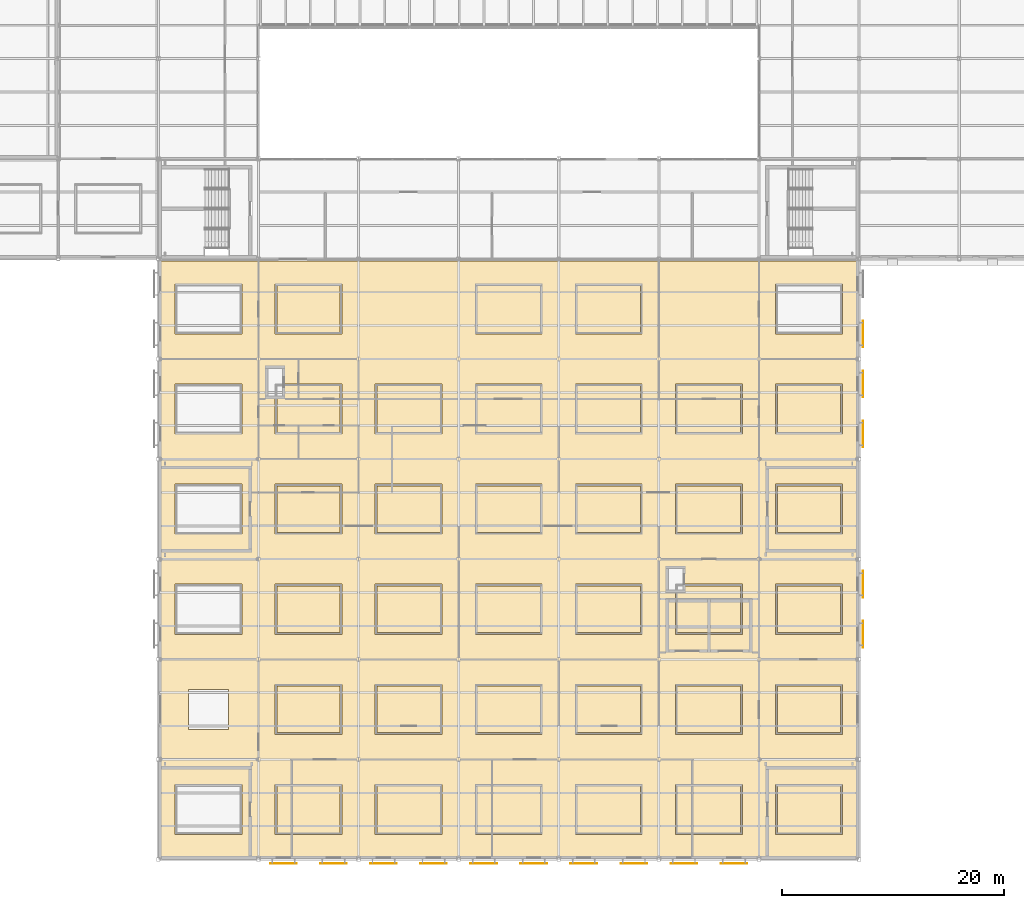
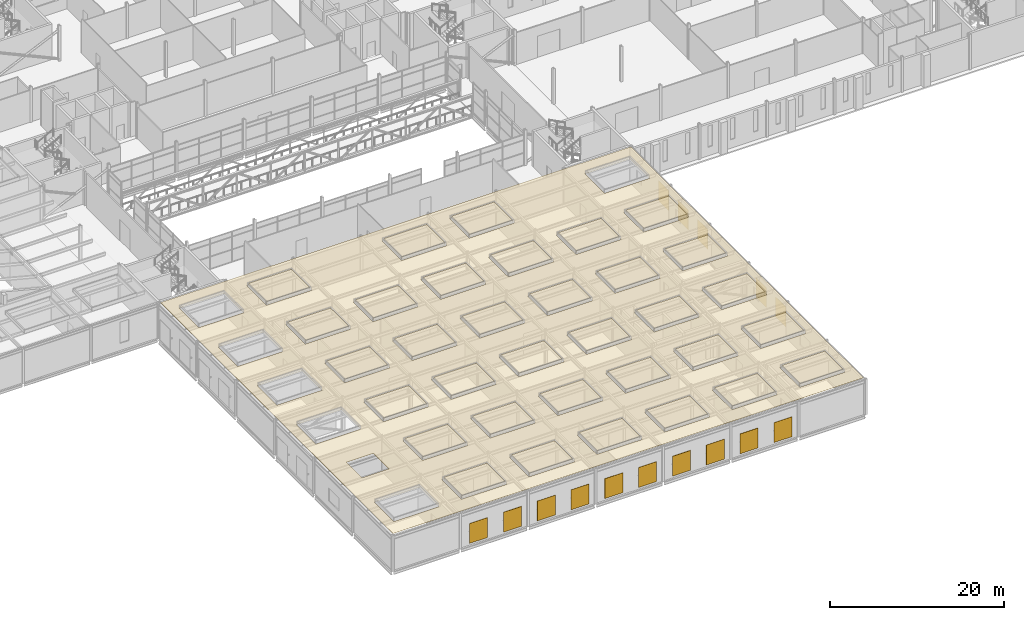
# One storey, part 110 of 115: 34 coverings, 15 shading devices.
"""IFC4 building model written with IfcOpenShell, lengths in metres."""

from ifc_helpers import new_model, si_unit, direction, frame, origin, origin_2d, place, context, subcontext, project, spatial, polyline, rectangle, outline, extrude, material, layer, layer_set, type_object, element, save


model = new_model("IFC4")

# Units and contexts
model_context = context("Model", 3, precision=1e-05, world=origin(), true_north=direction((0.0, 1.0)))
body_context = subcontext(model_context, "Body", "Model", "MODEL_VIEW")
ifc_project = project(units=[si_unit("LENGTHUNIT", "METRE"), si_unit("AREAUNIT", "SQUARE_METRE"), si_unit("VOLUMEUNIT", "CUBIC_METRE"), si_unit("PLANEANGLEUNIT", "RADIAN"), si_unit("MASSUNIT", "GRAM", prefix="KILO")], contexts=[model_context])

# Site, building, storey
site_placement = place(None, origin())
site = spatial("IfcSite", under=ifc_project, at=site_placement, CompositionType="ELEMENT")
building_placement = place(site_placement, origin())
building = spatial("IfcBuilding", under=site, at=building_placement, Name="Shorebreak Coast Museum", CompositionType="ELEMENT")
storey_placement = place(building_placement, frame((0.0, 0.0, 11.0)))
storey = spatial("IfcBuildingStorey", under=building, at=storey_placement, Name="L02", CompositionType="ELEMENT", Elevation=11.0)

# Shading devices
ifc_material_1 = material(Name="Aluminium", Category="aluminium")
ifc_layer_1 = layer(ifc_material_1, 0.0400390625)
ifc_layer_set_1 = layer_set([ifc_layer_1], Name="Aluminium")
shading_device_type = type_object("IfcShadingDeviceType", Name="Perforated aluminium screen 2400 x 2800", PredefinedType="USERDEFINED", material=ifc_layer_set_1)
for number, where, z_axis, x_axis, name in (
    (1, (117.3701171875, 20.25, 0.5498046875), (0.0, 0.0, 1.0), (1.0, 0.0, 0.0), "Perforated screen L02 E23"),
    (2, (117.3701171875, 24.75, 0.5498046875), (0.0, 0.0, 1.0), (1.0, 0.0, 0.0), "Perforated screen L02 E24"),
    (3, (117.3701171875, 38.25, 0.5498046875), (0.0, 0.0, 1.0), (1.0, 0.0, 0.0), "Perforated screen L02 E25"),
    (4, (117.3701171875, 42.75, 0.5498046875), (0.0, 0.0, 1.0), (1.0, 0.0, 0.0), "Perforated screen L02 E26"),
    (5, (117.3701171875, 47.25, 0.5498046875), (0.0, 0.0, 1.0), (1.0, 0.0, 0.0), "Perforated screen L02 E27"),
):
    element("IfcShadingDevice", number, at=place(storey_placement, frame(where, z_axis=z_axis, x_axis=x_axis)), inside=storey, type_object=shading_device_type, Name=name, ObjectType="LOUVRE", PredefinedType="USERDEFINED", context=body_context, shape_type="SweptSolid", body=[
        extrude(rectangle(XDim=0.0400390625, YDim=2.39990234375, at=origin_2d()), origin(), (0.0, 0.0, 1.0), 2.800048828125),
    ])
for number, where, z_axis, x_axis, name in (
    (6, (65.25, -0.3701171875, 0.5498046875), (0.0, 0.0, 1.0), (1.0, 0.0, 0.0), "Perforated screen L02 S29"),
    (7, (69.75, -0.3701171875, 0.5498046875), (0.0, 0.0, 1.0), (1.0, 0.0, 0.0), "Perforated screen L02 S30"),
    (8, (74.25, -0.3701171875, 0.5498046875), (0.0, 0.0, 1.0), (1.0, 0.0, 0.0), "Perforated screen L02 S31"),
    (9, (78.75, -0.3701171875, 0.5498046875), (0.0, 0.0, 1.0), (1.0, 0.0, 0.0), "Perforated screen L02 S32"),
    (10, (83.25, -0.3701171875, 0.5498046875), (0.0, 0.0, 1.0), (1.0, 0.0, 0.0), "Perforated screen L02 S33"),
    (11, (87.75, -0.3701171875, 0.5498046875), (0.0, 0.0, 1.0), (1.0, 0.0, 0.0), "Perforated screen L02 S34"),
    (12, (92.25, -0.3701171875, 0.5498046875), (0.0, 0.0, 1.0), (1.0, 0.0, 0.0), "Perforated screen L02 S35"),
    (13, (96.75, -0.3701171875, 0.5498046875), (0.0, 0.0, 1.0), (1.0, 0.0, 0.0), "Perforated screen L02 S36"),
    (14, (101.25, -0.3701171875, 0.5498046875), (0.0, 0.0, 1.0), (1.0, 0.0, 0.0), "Perforated screen L02 S37"),
    (15, (105.75, -0.3701171875, 0.5498046875), (0.0, 0.0, 1.0), (1.0, 0.0, 0.0), "Perforated screen L02 S38"),
):
    element("IfcShadingDevice", number, at=place(storey_placement, frame(where, z_axis=z_axis, x_axis=x_axis)), inside=storey, type_object=shading_device_type, Name=name, ObjectType="LOUVRE", PredefinedType="USERDEFINED", context=body_context, shape_type="SweptSolid", body=[
        extrude(rectangle(XDim=2.39990234375, YDim=0.0400390625, at=origin_2d()), origin(), (0.0, 0.0, 1.0), 2.800048828125),
    ])

# Coverings
ifc_material_2 = material(Name="Concrete paving", Category="concrete")
ifc_layer_2 = layer(ifc_material_2, 0.030029296875)
ifc_layer_set_2 = layer_set([ifc_layer_2], Name="Concrete paving")
covering_type_1 = type_object("IfcCoveringType", Name="Roof garden paving 30", PredefinedType="FLOORING", material=ifc_layer_set_2)
covering_1_placement = place(storey_placement, frame((0.0, 0.0, 5.0)))
element("IfcCovering", 16, at=covering_1_placement, inside=storey, type_object=covering_type_1, Name="Roof garden paving SDECK 2", PredefinedType="FLOORING", context=body_context, shape_type="SweptSolid", body=[
    extrude(outline(polyline([(116.800048828125, 53.800048828125), (116.800048828125, 0.199951171875), (54.199951171875, 0.199951171875), (54.199951171875, 53.800048828125), (116.800048828125, 53.800048828125)]), holes=[polyline([(61.5, 2.25), (61.5, 6.75), (55.5, 6.75), (55.5, 2.25), (61.5, 2.25)]), polyline([(70.5, 2.25), (70.5, 6.75), (64.5, 6.75), (64.5, 2.25), (70.5, 2.25)]), polyline([(79.5, 2.25), (79.5, 6.75), (73.5, 6.75), (73.5, 2.25), (79.5, 2.25)]), polyline([(60.300048828125, 11.699951171875), (60.300048828125, 15.300048828125), (56.699951171875, 15.300048828125), (56.699951171875, 11.699951171875), (60.300048828125, 11.699951171875)]), polyline([(64.5, 11.25), (70.5, 11.25), (70.5, 15.75), (64.5, 15.75), (64.5, 11.25)]), polyline([(79.5, 11.25), (79.5, 15.75), (73.5, 15.75), (73.5, 11.25), (79.5, 11.25)]), polyline([(88.5, 20.25), (88.5, 24.75), (82.5, 24.75), (82.5, 20.25), (88.5, 20.25)]), polyline([(61.5, 20.25), (61.5, 24.75), (55.5, 24.75), (55.5, 20.25), (61.5, 20.25)]), polyline([(73.5, 20.25), (79.5, 20.25), (79.5, 24.75), (73.5, 24.75), (73.5, 20.25)]), polyline([(64.5, 20.25), (70.5, 20.25), (70.5, 24.75), (64.5, 24.75), (64.5, 20.25)]), polyline([(70.5, 29.25), (70.5, 33.75), (64.5, 33.75), (64.5, 29.25), (70.5, 29.25)]), polyline([(79.5, 29.25), (79.5, 33.75), (73.5, 33.75), (73.5, 29.25), (79.5, 29.25)]), polyline([(61.5, 29.25), (61.5, 33.75), (55.5, 33.75), (55.5, 29.25), (61.5, 29.25)]), polyline([(64.5, 38.25), (70.5, 38.25), (70.5, 42.75), (64.5, 42.75), (64.5, 38.25)]), polyline([(73.5, 38.25), (79.5, 38.25), (79.5, 42.75), (73.5, 42.75), (73.5, 38.25)]), polyline([(61.5, 38.25), (61.5, 42.75), (55.5, 42.75), (55.5, 38.25), (61.5, 38.25)]), polyline([(88.5, 38.25), (88.5, 42.75), (82.5, 42.75), (82.5, 38.25), (88.5, 38.25)]), polyline([(70.5, 47.25), (70.5, 51.75), (64.5, 51.75), (64.5, 47.25), (70.5, 47.25)]), polyline([(82.5, 47.25), (88.5, 47.25), (88.5, 51.75), (82.5, 51.75), (82.5, 47.25)]), polyline([(55.5, 47.25), (61.5, 47.25), (61.5, 51.75), (55.5, 51.75), (55.5, 47.25)]), polyline([(88.5, 2.25), (88.5, 6.75), (82.5, 6.75), (82.5, 2.25), (88.5, 2.25)]), polyline([(115.5, 2.25), (115.5, 6.75), (109.5, 6.75), (109.5, 2.25), (115.5, 2.25)]), polyline([(106.5, 2.25), (106.5, 6.75), (100.5, 6.75), (100.5, 2.25), (106.5, 2.25)]), polyline([(91.5, 2.25), (97.5, 2.25), (97.5, 6.75), (91.5, 6.75), (91.5, 2.25)]), polyline([(82.5, 11.25), (88.5, 11.25), (88.5, 15.75), (82.5, 15.75), (82.5, 11.25)]), polyline([(115.5, 11.25), (115.5, 15.75), (109.5, 15.75), (109.5, 11.25), (115.5, 11.25)]), polyline([(97.5, 11.25), (97.5, 15.75), (91.5, 15.75), (91.5, 11.25), (97.5, 11.25)]), polyline([(106.5, 11.25), (106.5, 15.75), (100.5, 15.75), (100.5, 11.25), (106.5, 11.25)]), polyline([(109.5, 20.25), (115.5, 20.25), (115.5, 24.75), (109.5, 24.75), (109.5, 20.25)]), polyline([(100.5, 20.25), (106.5, 20.25), (106.5, 24.75), (100.5, 24.75), (100.5, 20.25)]), polyline([(97.5, 20.25), (97.5, 24.75), (91.5, 24.75), (91.5, 20.25), (97.5, 20.25)]), polyline([(106.5, 29.25), (106.5, 33.75), (100.5, 33.75), (100.5, 29.25), (106.5, 29.25)]), polyline([(97.5, 29.25), (97.5, 33.75), (91.5, 33.75), (91.5, 29.25), (97.5, 29.25)]), polyline([(109.5, 29.25), (115.5, 29.25), (115.5, 33.75), (109.5, 33.75), (109.5, 29.25)]), polyline([(82.5, 29.25), (88.5, 29.25), (88.5, 33.75), (82.5, 33.75), (82.5, 29.25)]), polyline([(106.5, 38.25), (106.5, 42.75), (100.5, 42.75), (100.5, 38.25), (106.5, 38.25)]), polyline([(97.5, 38.25), (97.5, 42.75), (91.5, 42.75), (91.5, 38.25), (97.5, 38.25)]), polyline([(115.5, 38.25), (115.5, 42.75), (109.5, 42.75), (109.5, 38.25), (115.5, 38.25)]), polyline([(109.5, 47.25), (115.5, 47.25), (115.5, 51.75), (109.5, 51.75), (109.5, 47.25)]), polyline([(91.5, 47.25), (97.5, 47.25), (97.5, 51.75), (91.5, 51.75), (91.5, 47.25)])]), origin(), (0.0, 0.0, 1.0), 0.030029296875),
])
ifc_material_3 = material(Name="Growing medium")
ifc_layer_3 = layer(ifc_material_3, 0.39990234375)
ifc_layer_set_3 = layer_set([ifc_layer_3], Name="Growing medium")
covering_type_2 = type_object("IfcCoveringType", Name="Roof garden planting 400", PredefinedType="FLOORING", material=ifc_layer_set_3)
covering_2_placement = place(storey_placement, frame((0.0, 0.0, 5.0)))
element("IfcCovering", 17, at=covering_2_placement, inside=storey, type_object=covering_type_2, Name="Roof garden planting", PredefinedType="FLOORING", context=body_context, shape_type="SweptSolid", body=[
    extrude(outline(polyline([(70.35009765625, 2.39990234375), (70.35009765625, 6.60009765625), (64.64990234375, 6.60009765625), (64.64990234375, 2.39990234375), (70.35009765625, 2.39990234375)])), origin(), (0.0, 0.0, 1.0), 0.39990234375),
])
covering_3_placement = place(storey_placement, frame((0.0, 0.0, 5.0)))
element("IfcCovering", 18, at=covering_3_placement, inside=storey, type_object=covering_type_2, Name="Roof garden planting", PredefinedType="FLOORING", context=body_context, shape_type="SweptSolid", body=[
    extrude(outline(polyline([(79.35009765625, 2.39990234375), (79.35009765625, 6.60009765625), (73.64990234375, 6.60009765625), (73.64990234375, 2.39990234375), (79.35009765625, 2.39990234375)])), origin(), (0.0, 0.0, 1.0), 0.39990234375),
])
covering_4_placement = place(storey_placement, frame((0.0, 0.0, 5.0)))
element("IfcCovering", 19, at=covering_4_placement, inside=storey, type_object=covering_type_2, Name="Roof garden planting", PredefinedType="FLOORING", context=body_context, shape_type="SweptSolid", body=[
    extrude(outline(polyline([(88.35009765625, 2.39990234375), (88.35009765625, 6.60009765625), (82.64990234375, 6.60009765625), (82.64990234375, 2.39990234375), (88.35009765625, 2.39990234375)])), origin(), (0.0, 0.0, 1.0), 0.39990234375),
])
covering_5_placement = place(storey_placement, frame((0.0, 0.0, 5.0)))
element("IfcCovering", 20, at=covering_5_placement, inside=storey, type_object=covering_type_2, Name="Roof garden planting", PredefinedType="FLOORING", context=body_context, shape_type="SweptSolid", body=[
    extrude(outline(polyline([(97.35009765625, 2.39990234375), (97.35009765625, 6.60009765625), (91.64990234375, 6.60009765625), (91.64990234375, 2.39990234375), (97.35009765625, 2.39990234375)])), origin(), (0.0, 0.0, 1.0), 0.39990234375),
])
covering_6_placement = place(storey_placement, frame((0.0, 0.0, 5.0)))
element("IfcCovering", 21, at=covering_6_placement, inside=storey, type_object=covering_type_2, Name="Roof garden planting", PredefinedType="FLOORING", context=body_context, shape_type="SweptSolid", body=[
    extrude(outline(polyline([(106.35009765625, 2.39990234375), (106.35009765625, 6.60009765625), (100.64990234375, 6.60009765625), (100.64990234375, 2.39990234375), (106.35009765625, 2.39990234375)])), origin(), (0.0, 0.0, 1.0), 0.39990234375),
])
covering_7_placement = place(storey_placement, frame((0.0, 0.0, 5.0)))
element("IfcCovering", 22, at=covering_7_placement, inside=storey, type_object=covering_type_2, Name="Roof garden planting", PredefinedType="FLOORING", context=body_context, shape_type="SweptSolid", body=[
    extrude(outline(polyline([(115.35009765625, 2.39990234375), (115.35009765625, 6.60009765625), (109.64990234375, 6.60009765625), (109.64990234375, 2.39990234375), (115.35009765625, 2.39990234375)])), origin(), (0.0, 0.0, 1.0), 0.39990234375),
])
covering_8_placement = place(storey_placement, frame((0.0, 0.0, 5.0)))
element("IfcCovering", 23, at=covering_8_placement, inside=storey, type_object=covering_type_2, Name="Roof garden planting", PredefinedType="FLOORING", context=body_context, shape_type="SweptSolid", body=[
    extrude(outline(polyline([(70.35009765625, 11.39990234375), (70.35009765625, 15.60009765625), (64.64990234375, 15.60009765625), (64.64990234375, 11.39990234375), (70.35009765625, 11.39990234375)])), origin(), (0.0, 0.0, 1.0), 0.39990234375),
])
covering_9_placement = place(storey_placement, frame((0.0, 0.0, 5.0)))
element("IfcCovering", 24, at=covering_9_placement, inside=storey, type_object=covering_type_2, Name="Roof garden planting", PredefinedType="FLOORING", context=body_context, shape_type="SweptSolid", body=[
    extrude(outline(polyline([(79.35009765625, 11.39990234375), (79.35009765625, 15.60009765625), (73.64990234375, 15.60009765625), (73.64990234375, 11.39990234375), (79.35009765625, 11.39990234375)])), origin(), (0.0, 0.0, 1.0), 0.39990234375),
])
covering_10_placement = place(storey_placement, frame((0.0, 0.0, 5.0)))
element("IfcCovering", 25, at=covering_10_placement, inside=storey, type_object=covering_type_2, Name="Roof garden planting", PredefinedType="FLOORING", context=body_context, shape_type="SweptSolid", body=[
    extrude(outline(polyline([(88.35009765625, 11.39990234375), (88.35009765625, 15.60009765625), (82.64990234375, 15.60009765625), (82.64990234375, 11.39990234375), (88.35009765625, 11.39990234375)])), origin(), (0.0, 0.0, 1.0), 0.39990234375),
])
covering_11_placement = place(storey_placement, frame((0.0, 0.0, 5.0)))
element("IfcCovering", 26, at=covering_11_placement, inside=storey, type_object=covering_type_2, Name="Roof garden planting", PredefinedType="FLOORING", context=body_context, shape_type="SweptSolid", body=[
    extrude(outline(polyline([(97.35009765625, 11.39990234375), (97.35009765625, 15.60009765625), (91.64990234375, 15.60009765625), (91.64990234375, 11.39990234375), (97.35009765625, 11.39990234375)])), origin(), (0.0, 0.0, 1.0), 0.39990234375),
])
covering_12_placement = place(storey_placement, frame((0.0, 0.0, 5.0)))
element("IfcCovering", 27, at=covering_12_placement, inside=storey, type_object=covering_type_2, Name="Roof garden planting", PredefinedType="FLOORING", context=body_context, shape_type="SweptSolid", body=[
    extrude(outline(polyline([(106.35009765625, 11.39990234375), (106.35009765625, 15.60009765625), (100.64990234375, 15.60009765625), (100.64990234375, 11.39990234375), (106.35009765625, 11.39990234375)])), origin(), (0.0, 0.0, 1.0), 0.39990234375),
])
covering_13_placement = place(storey_placement, frame((0.0, 0.0, 5.0)))
element("IfcCovering", 28, at=covering_13_placement, inside=storey, type_object=covering_type_2, Name="Roof garden planting", PredefinedType="FLOORING", context=body_context, shape_type="SweptSolid", body=[
    extrude(outline(polyline([(115.35009765625, 11.39990234375), (115.35009765625, 15.60009765625), (109.64990234375, 15.60009765625), (109.64990234375, 11.39990234375), (115.35009765625, 11.39990234375)])), origin(), (0.0, 0.0, 1.0), 0.39990234375),
])
covering_14_placement = place(storey_placement, frame((0.0, 0.0, 5.0)))
element("IfcCovering", 29, at=covering_14_placement, inside=storey, type_object=covering_type_2, Name="Roof garden planting", PredefinedType="FLOORING", context=body_context, shape_type="SweptSolid", body=[
    extrude(outline(polyline([(70.35009765625, 20.39990234375), (70.35009765625, 24.60009765625), (64.64990234375, 24.60009765625), (64.64990234375, 20.39990234375), (70.35009765625, 20.39990234375)])), origin(), (0.0, 0.0, 1.0), 0.39990234375),
])
covering_15_placement = place(storey_placement, frame((0.0, 0.0, 5.0)))
element("IfcCovering", 30, at=covering_15_placement, inside=storey, type_object=covering_type_2, Name="Roof garden planting", PredefinedType="FLOORING", context=body_context, shape_type="SweptSolid", body=[
    extrude(outline(polyline([(79.35009765625, 20.39990234375), (79.35009765625, 24.60009765625), (73.64990234375, 24.60009765625), (73.64990234375, 20.39990234375), (79.35009765625, 20.39990234375)])), origin(), (0.0, 0.0, 1.0), 0.39990234375),
])
covering_16_placement = place(storey_placement, frame((0.0, 0.0, 5.0)))
element("IfcCovering", 31, at=covering_16_placement, inside=storey, type_object=covering_type_2, Name="Roof garden planting", PredefinedType="FLOORING", context=body_context, shape_type="SweptSolid", body=[
    extrude(outline(polyline([(88.35009765625, 20.39990234375), (88.35009765625, 24.60009765625), (82.64990234375, 24.60009765625), (82.64990234375, 20.39990234375), (88.35009765625, 20.39990234375)])), origin(), (0.0, 0.0, 1.0), 0.39990234375),
])
covering_17_placement = place(storey_placement, frame((0.0, 0.0, 5.0)))
element("IfcCovering", 32, at=covering_17_placement, inside=storey, type_object=covering_type_2, Name="Roof garden planting", PredefinedType="FLOORING", context=body_context, shape_type="SweptSolid", body=[
    extrude(outline(polyline([(97.35009765625, 20.39990234375), (97.35009765625, 24.60009765625), (91.64990234375, 24.60009765625), (91.64990234375, 20.39990234375), (97.35009765625, 20.39990234375)])), origin(), (0.0, 0.0, 1.0), 0.39990234375),
])
covering_18_placement = place(storey_placement, frame((0.0, 0.0, 5.0)))
element("IfcCovering", 33, at=covering_18_placement, inside=storey, type_object=covering_type_2, Name="Roof garden planting", PredefinedType="FLOORING", context=body_context, shape_type="SweptSolid", body=[
    extrude(outline(polyline([(106.35009765625, 20.39990234375), (106.35009765625, 24.60009765625), (100.64990234375, 24.60009765625), (100.64990234375, 20.39990234375), (106.35009765625, 20.39990234375)])), origin(), (0.0, 0.0, 1.0), 0.39990234375),
])
covering_19_placement = place(storey_placement, frame((0.0, 0.0, 5.0)))
element("IfcCovering", 34, at=covering_19_placement, inside=storey, type_object=covering_type_2, Name="Roof garden planting", PredefinedType="FLOORING", context=body_context, shape_type="SweptSolid", body=[
    extrude(outline(polyline([(115.35009765625, 20.39990234375), (115.35009765625, 24.60009765625), (109.64990234375, 24.60009765625), (109.64990234375, 20.39990234375), (115.35009765625, 20.39990234375)])), origin(), (0.0, 0.0, 1.0), 0.39990234375),
])
covering_20_placement = place(storey_placement, frame((0.0, 0.0, 5.0)))
element("IfcCovering", 35, at=covering_20_placement, inside=storey, type_object=covering_type_2, Name="Roof garden planting", PredefinedType="FLOORING", context=body_context, shape_type="SweptSolid", body=[
    extrude(outline(polyline([(70.35009765625, 29.39990234375), (70.35009765625, 33.60009765625), (64.64990234375, 33.60009765625), (64.64990234375, 29.39990234375), (70.35009765625, 29.39990234375)])), origin(), (0.0, 0.0, 1.0), 0.39990234375),
])
covering_21_placement = place(storey_placement, frame((0.0, 0.0, 5.0)))
element("IfcCovering", 36, at=covering_21_placement, inside=storey, type_object=covering_type_2, Name="Roof garden planting", PredefinedType="FLOORING", context=body_context, shape_type="SweptSolid", body=[
    extrude(outline(polyline([(79.35009765625, 29.39990234375), (79.35009765625, 33.60009765625), (73.64990234375, 33.60009765625), (73.64990234375, 29.39990234375), (79.35009765625, 29.39990234375)])), origin(), (0.0, 0.0, 1.0), 0.39990234375),
])
covering_22_placement = place(storey_placement, frame((0.0, 0.0, 5.0)))
element("IfcCovering", 37, at=covering_22_placement, inside=storey, type_object=covering_type_2, Name="Roof garden planting", PredefinedType="FLOORING", context=body_context, shape_type="SweptSolid", body=[
    extrude(outline(polyline([(88.35009765625, 29.39990234375), (88.35009765625, 33.60009765625), (82.64990234375, 33.60009765625), (82.64990234375, 29.39990234375), (88.35009765625, 29.39990234375)])), origin(), (0.0, 0.0, 1.0), 0.39990234375),
])
covering_23_placement = place(storey_placement, frame((0.0, 0.0, 5.0)))
element("IfcCovering", 38, at=covering_23_placement, inside=storey, type_object=covering_type_2, Name="Roof garden planting", PredefinedType="FLOORING", context=body_context, shape_type="SweptSolid", body=[
    extrude(outline(polyline([(97.35009765625, 29.39990234375), (97.35009765625, 33.60009765625), (91.64990234375, 33.60009765625), (91.64990234375, 29.39990234375), (97.35009765625, 29.39990234375)])), origin(), (0.0, 0.0, 1.0), 0.39990234375),
])
covering_24_placement = place(storey_placement, frame((0.0, 0.0, 5.0)))
element("IfcCovering", 39, at=covering_24_placement, inside=storey, type_object=covering_type_2, Name="Roof garden planting", PredefinedType="FLOORING", context=body_context, shape_type="SweptSolid", body=[
    extrude(outline(polyline([(106.35009765625, 29.39990234375), (106.35009765625, 33.60009765625), (100.64990234375, 33.60009765625), (100.64990234375, 29.39990234375), (106.35009765625, 29.39990234375)])), origin(), (0.0, 0.0, 1.0), 0.39990234375),
])
covering_25_placement = place(storey_placement, frame((0.0, 0.0, 5.0)))
element("IfcCovering", 40, at=covering_25_placement, inside=storey, type_object=covering_type_2, Name="Roof garden planting", PredefinedType="FLOORING", context=body_context, shape_type="SweptSolid", body=[
    extrude(outline(polyline([(115.35009765625, 29.39990234375), (115.35009765625, 33.60009765625), (109.64990234375, 33.60009765625), (109.64990234375, 29.39990234375), (115.35009765625, 29.39990234375)])), origin(), (0.0, 0.0, 1.0), 0.39990234375),
])
covering_26_placement = place(storey_placement, frame((0.0, 0.0, 5.0)))
element("IfcCovering", 41, at=covering_26_placement, inside=storey, type_object=covering_type_2, Name="Roof garden planting", PredefinedType="FLOORING", context=body_context, shape_type="SweptSolid", body=[
    extrude(outline(polyline([(70.35009765625, 38.39990234375), (70.35009765625, 42.60009765625), (64.64990234375, 42.60009765625), (64.64990234375, 38.39990234375), (70.35009765625, 38.39990234375)])), origin(), (0.0, 0.0, 1.0), 0.39990234375),
])
covering_27_placement = place(storey_placement, frame((0.0, 0.0, 5.0)))
element("IfcCovering", 42, at=covering_27_placement, inside=storey, type_object=covering_type_2, Name="Roof garden planting", PredefinedType="FLOORING", context=body_context, shape_type="SweptSolid", body=[
    extrude(outline(polyline([(79.35009765625, 38.39990234375), (79.35009765625, 42.60009765625), (73.64990234375, 42.60009765625), (73.64990234375, 38.39990234375), (79.35009765625, 38.39990234375)])), origin(), (0.0, 0.0, 1.0), 0.39990234375),
])
covering_28_placement = place(storey_placement, frame((0.0, 0.0, 5.0)))
element("IfcCovering", 43, at=covering_28_placement, inside=storey, type_object=covering_type_2, Name="Roof garden planting", PredefinedType="FLOORING", context=body_context, shape_type="SweptSolid", body=[
    extrude(outline(polyline([(88.35009765625, 38.39990234375), (88.35009765625, 42.60009765625), (82.64990234375, 42.60009765625), (82.64990234375, 38.39990234375), (88.35009765625, 38.39990234375)])), origin(), (0.0, 0.0, 1.0), 0.39990234375),
])
covering_29_placement = place(storey_placement, frame((0.0, 0.0, 5.0)))
element("IfcCovering", 44, at=covering_29_placement, inside=storey, type_object=covering_type_2, Name="Roof garden planting", PredefinedType="FLOORING", context=body_context, shape_type="SweptSolid", body=[
    extrude(outline(polyline([(97.35009765625, 38.39990234375), (97.35009765625, 42.60009765625), (91.64990234375, 42.60009765625), (91.64990234375, 38.39990234375), (97.35009765625, 38.39990234375)])), origin(), (0.0, 0.0, 1.0), 0.39990234375),
])
covering_30_placement = place(storey_placement, frame((0.0, 0.0, 5.0)))
element("IfcCovering", 45, at=covering_30_placement, inside=storey, type_object=covering_type_2, Name="Roof garden planting", PredefinedType="FLOORING", context=body_context, shape_type="SweptSolid", body=[
    extrude(outline(polyline([(106.35009765625, 38.39990234375), (106.35009765625, 42.60009765625), (100.64990234375, 42.60009765625), (100.64990234375, 38.39990234375), (106.35009765625, 38.39990234375)])), origin(), (0.0, 0.0, 1.0), 0.39990234375),
])
covering_31_placement = place(storey_placement, frame((0.0, 0.0, 5.0)))
element("IfcCovering", 46, at=covering_31_placement, inside=storey, type_object=covering_type_2, Name="Roof garden planting", PredefinedType="FLOORING", context=body_context, shape_type="SweptSolid", body=[
    extrude(outline(polyline([(115.35009765625, 38.39990234375), (115.35009765625, 42.60009765625), (109.64990234375, 42.60009765625), (109.64990234375, 38.39990234375), (115.35009765625, 38.39990234375)])), origin(), (0.0, 0.0, 1.0), 0.39990234375),
])
covering_32_placement = place(storey_placement, frame((0.0, 0.0, 5.0)))
element("IfcCovering", 47, at=covering_32_placement, inside=storey, type_object=covering_type_2, Name="Roof garden planting", PredefinedType="FLOORING", context=body_context, shape_type="SweptSolid", body=[
    extrude(outline(polyline([(70.35009765625, 47.39990234375), (70.35009765625, 51.60009765625), (64.64990234375, 51.60009765625), (64.64990234375, 47.39990234375), (70.35009765625, 47.39990234375)])), origin(), (0.0, 0.0, 1.0), 0.39990234375),
])
covering_33_placement = place(storey_placement, frame((0.0, 0.0, 5.0)))
element("IfcCovering", 48, at=covering_33_placement, inside=storey, type_object=covering_type_2, Name="Roof garden planting", PredefinedType="FLOORING", context=body_context, shape_type="SweptSolid", body=[
    extrude(outline(polyline([(88.35009765625, 47.39990234375), (88.35009765625, 51.60009765625), (82.64990234375, 51.60009765625), (82.64990234375, 47.39990234375), (88.35009765625, 47.39990234375)])), origin(), (0.0, 0.0, 1.0), 0.39990234375),
])
covering_34_placement = place(storey_placement, frame((0.0, 0.0, 5.0)))
element("IfcCovering", 49, at=covering_34_placement, inside=storey, type_object=covering_type_2, Name="Roof garden planting", PredefinedType="FLOORING", context=body_context, shape_type="SweptSolid", body=[
    extrude(outline(polyline([(97.35009765625, 47.39990234375), (97.35009765625, 51.60009765625), (91.64990234375, 51.60009765625), (91.64990234375, 47.39990234375), (97.35009765625, 47.39990234375)])), origin(), (0.0, 0.0, 1.0), 0.39990234375),
])

save(model, "model.ifc")
